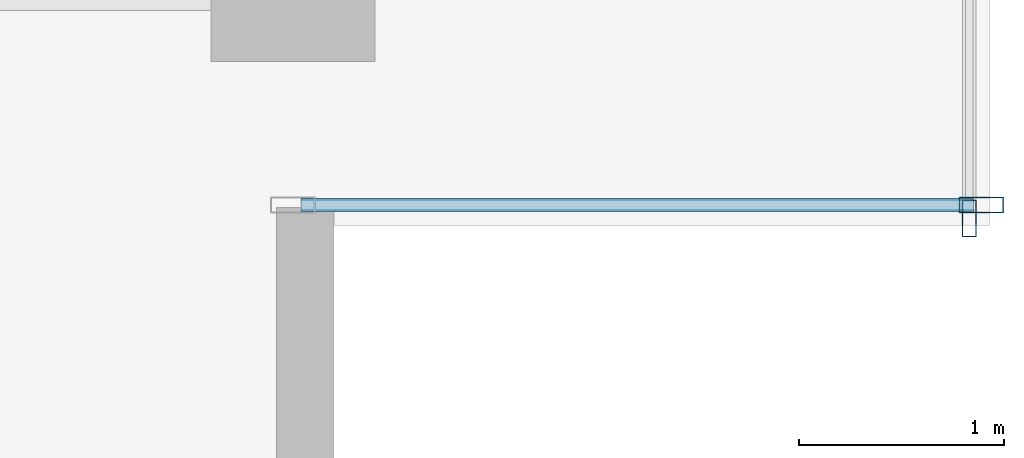
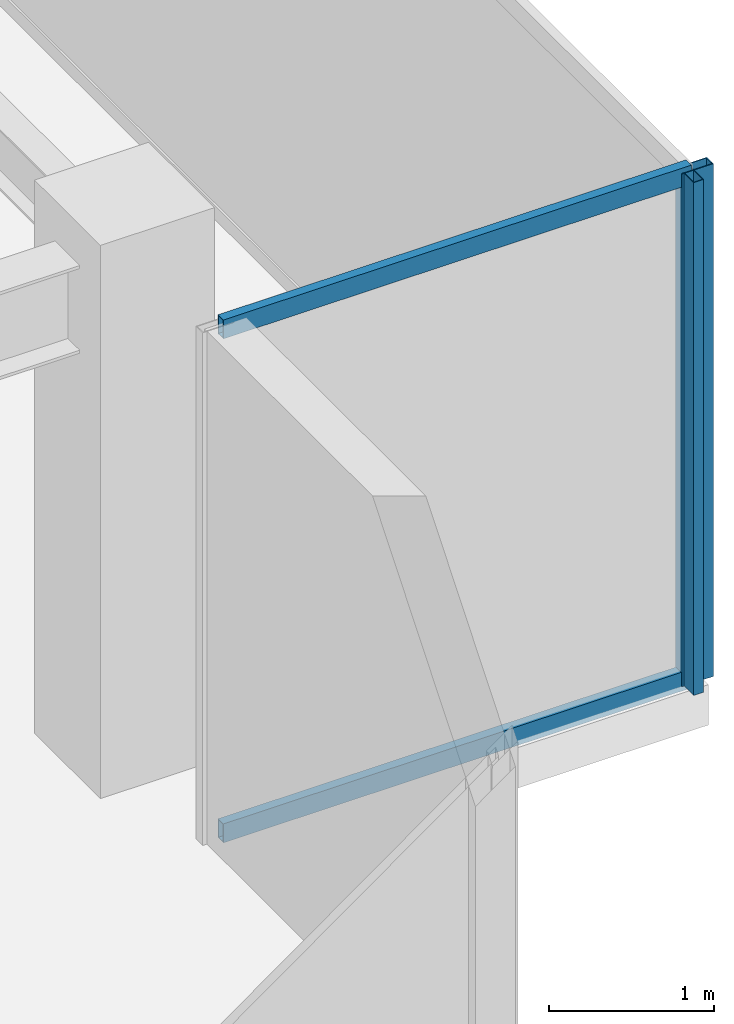
# One storey, part 22 of 33: 4 members, 2 elements without a shape of their own.
"""IFC4 building model written with IfcOpenShell, lengths in metres."""

from ifc_helpers import new_model, si_unit, direction, frame, origin, origin_2d, place, context, subcontext, project, spatial, hollow_rectangle, extrude, source, transform, mapped, material, layer, layer_set, material_profile, profile_set, type_object, type_shapes, element, aggregate, save


model = new_model("IFC4")

# Units and contexts
model_context = context("Model", 3, precision=1e-05, world=origin(), true_north=direction((0.0, 1.0)))
body_context = subcontext(model_context, "Body", "Model", "MODEL_VIEW")
ifc_project = project(units=[si_unit("LENGTHUNIT", "METRE"), si_unit("AREAUNIT", "SQUARE_METRE"), si_unit("VOLUMEUNIT", "CUBIC_METRE"), si_unit("PLANEANGLEUNIT", "RADIAN"), si_unit("MASSUNIT", "GRAM", prefix="KILO")], contexts=[model_context])

# Site, building, storey
site_placement = place(None, origin())
site = spatial("IfcSite", under=ifc_project, at=site_placement, CompositionType="ELEMENT")
building_placement = place(site_placement, origin())
building = spatial("IfcBuilding", under=site, at=building_placement, Name="Haelvirn Gate Laboratories", CompositionType="ELEMENT")
storey_placement = place(building_placement, frame((0.0, 0.0, 271.10009765625)))
storey = spatial("IfcBuildingStorey", under=building, at=storey_placement, Name="L65", CompositionType="ELEMENT", Elevation=271.10009765625)

# Curtain wall, members
ifc_material_1 = material(Name="Anodised bronze unitised aluminium & triple low-E glass", Category="aluminium")
ifc_layer_1 = layer(ifc_material_1, 0.181884765625, Name="CW-SYS-5")
ifc_layer_set_1 = layer_set([ifc_layer_1], Name="Anodised bronze unitised aluminium & triple low-E glass")
curtain_wall_type_1 = type_object("IfcCurtainWallType", Name="CW-SYS-5", PredefinedType="NOTDEFINED", material=ifc_layer_set_1)
curtain_wall_1_placement = place(storey_placement, origin())
curtain_wall_1 = element("IfcCurtainWall", 1, at=curtain_wall_1_placement, inside=storey, type_object=curtain_wall_type_1, Name="L65 Unitised Curtain Wall CW-L65-P0-E06-1", PredefinedType="NOTDEFINED")
ifc_material_2 = material(Name="Extruded aluminium 6063-T6 (anodised bronze)", Category="aluminium")
ifc_material_profile_1 = material_profile(ifc_material_2, hollow_rectangle(XDim=0.06494140625, YDim=0.139892578125, WallThickness=0.00390625, at=origin_2d()), Name="CWT-140x65x4")
ifc_profile_set_1 = profile_set([ifc_material_profile_1], Name="Extruded aluminium 6063-T6 (anodised bronze)")
member_type_1 = type_object("IfcMemberType", Name="CWT-T140", PredefinedType="USERDEFINED", material=ifc_profile_set_1)
shared_shape_1 = source(origin(), body_context, "Body", "SweptSolid", [
    extrude(hollow_rectangle(XDim=0.06494140625, YDim=0.139892578125, WallThickness=0.00390625, at=origin_2d()), origin(), (0.0, 0.0, 1.0), 3.280029296875),
])
type_shapes(member_type_1, [shared_shape_1])
member_1_placement = place(storey_placement, frame((67.43994140625, 5.89990234375, 0.032470703125), z_axis=(1.0, 0.0, 0.0), x_axis=(0.0, 1.0, 0.0)))
member_1 = element("IfcMember", 2, at=member_1_placement, type_object=member_type_1, Name="CW5 transom 1.1", ObjectType="TRANSOM", PredefinedType="USERDEFINED", context=body_context, shape_type="MappedRepresentation", body=[
    mapped(shared_shape_1, transform((0.0, 0.0, 0.0), scale=1.0)),
])
member_2_placement = place(storey_placement, frame((67.43994140625, 5.89990234375, 3.767333984375), z_axis=(1.0, 0.0, 0.0), x_axis=(0.0, 1.0, 0.0)))
member_2 = element("IfcMember", 3, at=member_2_placement, type_object=member_type_1, Name="CW5 transom 1.2", ObjectType="TRANSOM", PredefinedType="USERDEFINED", context=body_context, shape_type="MappedRepresentation", body=[
    mapped(shared_shape_1, transform((0.0, 0.0, 0.0), scale=1.0)),
])

# Curtain wall, member
ifc_layer_2 = layer(ifc_material_1, 0.176025390625, Name="CW-SYS-4")
ifc_layer_set_2 = layer_set([ifc_layer_2], Name="Anodised bronze unitised aluminium & triple low-E glass")
curtain_wall_type_2 = type_object("IfcCurtainWallType", Name="CW-SYS-4", PredefinedType="NOTDEFINED", material=ifc_layer_set_2)
curtain_wall_2_placement = place(storey_placement, origin())
curtain_wall_2 = element("IfcCurtainWall", 4, at=curtain_wall_2_placement, inside=storey, type_object=curtain_wall_type_2, Name="L65 Unitised Curtain Wall CW-L65-P0-E07", PredefinedType="NOTDEFINED")
ifc_material_profile_2 = material_profile(ifc_material_2, hollow_rectangle(XDim=0.070068359375, YDim=0.179931640625, WallThickness=0.0048828125, at=origin_2d()), Name="CWM-180x70x5")
ifc_profile_set_2 = profile_set([ifc_material_profile_2], Name="Extruded aluminium 6063-T6 (anodised bronze)")
member_type_2 = type_object("IfcMemberType", Name="CWM-T180", PredefinedType="MULLION", material=ifc_profile_set_2)
shared_shape_2 = source(origin(), body_context, "Body", "SweptSolid", [
    extrude(hollow_rectangle(XDim=0.070068359375, YDim=0.179931640625, WallThickness=0.0048828125, at=origin_2d()), origin(), (0.0, 0.0, 1.0), 3.7998046875),
])
type_shapes(member_type_2, [shared_shape_2])
member_3_placement = place(storey_placement, frame((70.699951171875, 5.8349609375, 0.0), z_axis=(0.0, 0.0, 1.0), x_axis=(-1.0, 0.0, 0.0)))
member_3 = element("IfcMember", 5, at=member_3_placement, type_object=member_type_2, Name="CW4 mullion 1", PredefinedType="MULLION", context=body_context, shape_type="MappedRepresentation", body=[
    mapped(shared_shape_2, transform((0.0, 0.0, 0.0), scale=1.0)),
])
aggregate(curtain_wall_2, [member_3])

# Member
ifc_material_profile_3 = material_profile(ifc_material_2, hollow_rectangle(XDim=0.080078125, YDim=0.219970703125, WallThickness=0.006103515625, at=origin_2d()), Name="CWM-220x80x6")
ifc_profile_set_3 = profile_set([ifc_material_profile_3], Name="Extruded aluminium 6063-T6 (anodised bronze)")
member_type_3 = type_object("IfcMemberType", Name="CWM-T220", PredefinedType="MULLION", material=ifc_profile_set_3)
shared_shape_3 = source(origin(), body_context, "Body", "SweptSolid", [
    extrude(hollow_rectangle(XDim=0.080078125, YDim=0.219970703125, WallThickness=0.006103515625, at=origin_2d()), origin(), (0.0, 0.0, 1.0), 3.7998046875),
])
type_shapes(member_type_3, [shared_shape_3])
member_4_placement = place(storey_placement, frame((70.760009765625, 5.89990234375, 0.0), z_axis=(0.0, 0.0, 1.0), x_axis=(0.0, 1.0, 0.0)))
member_4 = element("IfcMember", 6, at=member_4_placement, type_object=member_type_3, Name="CW5 mullion 2", PredefinedType="MULLION", context=body_context, shape_type="MappedRepresentation", body=[
    mapped(shared_shape_3, transform((0.0, 0.0, 0.0), scale=1.0)),
])

aggregate(curtain_wall_1, [member_4, member_1, member_2])

save(model, "model.ifc")
